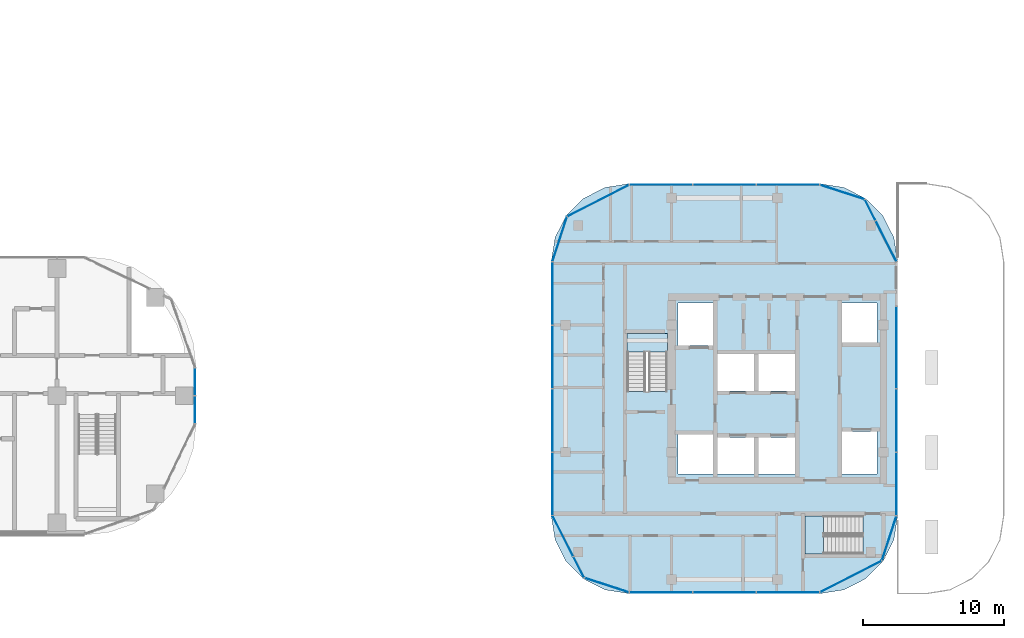
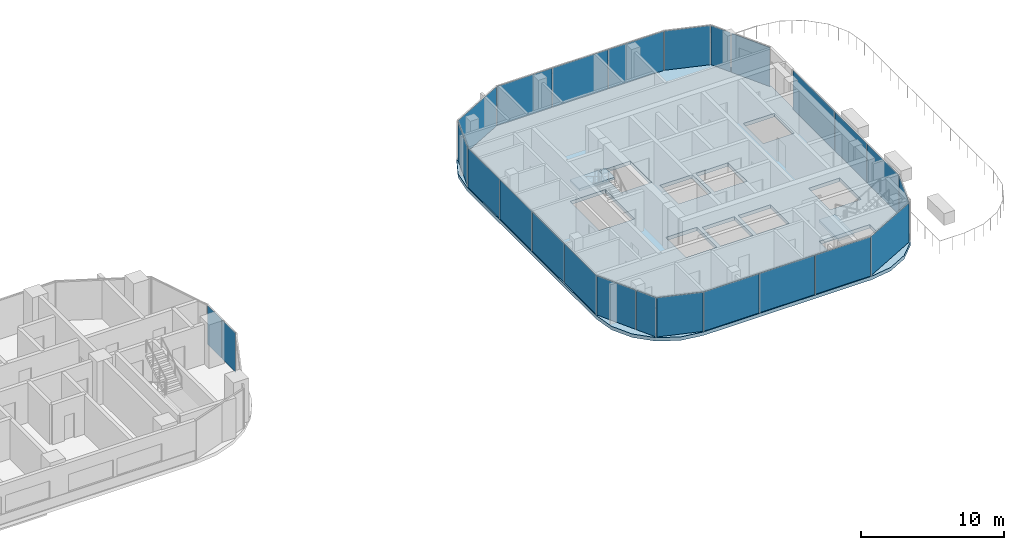
# One storey, part 16 of 35: 25 plates, 3 slabs, 13 elements without a shape of their own.
"""IFC4 building model written with IfcOpenShell, lengths in metres."""

from ifc_helpers import new_model, si_unit, direction, frame, origin, origin_2d, place, context, subcontext, project, spatial, polyline, rectangle, outline, extrude, material, layer, layer_set, type_object, element, aggregate, save


model = new_model("IFC4")

# Units and contexts
model_context = context("Model", 3, precision=1e-05, world=origin(), true_north=direction((0.0, 1.0)))
body_context = subcontext(model_context, "Body", "Model", "MODEL_VIEW")
ifc_project = project(units=[si_unit("LENGTHUNIT", "METRE"), si_unit("AREAUNIT", "SQUARE_METRE"), si_unit("VOLUMEUNIT", "CUBIC_METRE"), si_unit("PLANEANGLEUNIT", "RADIAN"), si_unit("MASSUNIT", "GRAM", prefix="KILO")], contexts=[model_context])

# Site, building, storey
site_placement = place(None, origin())
site = spatial("IfcSite", under=ifc_project, at=site_placement, CompositionType="ELEMENT")
building_placement = place(site_placement, origin())
building = spatial("IfcBuilding", under=site, at=building_placement, Name="Ogive Portal Towers", CompositionType="ELEMENT")
storey_placement = place(building_placement, frame((0.0, 0.0, 94.5)))
storey = spatial("IfcBuildingStorey", under=building, at=storey_placement, Name="L22", CompositionType="ELEMENT", Elevation=94.5)

# Curtain wall, plates
ifc_material_1 = material(Name="Glass, clear low-iron insulated glazing", Category="glass")
curtain_wall_type_1 = type_object("IfcCurtainWallType", Name="CW FRONT RIBBON 4500", PredefinedType="NOTDEFINED", material=ifc_material_1)
curtain_wall_1_placement = place(storey_placement, origin())
curtain_wall_1 = element("IfcCurtainWall", 1, at=curtain_wall_1_placement, inside=storey, type_object=curtain_wall_type_1, Name="A:L22:f08:cw0", PredefinedType="NOTDEFINED")
ifc_layer_1 = layer(ifc_material_1, 0.028076171875)
ifc_layer_set_1 = layer_set([ifc_layer_1], Name="CW PANEL IGU 28")
plate_type = type_object("IfcPlateType", Name="CW PANEL IGU 28", PredefinedType="CURTAIN_PANEL", material=ifc_layer_set_1)
plate_1_placement = place(storey_placement, frame((95.27490234375, 29.509033203125, 0.0), z_axis=(0.0, 0.0, 1.0), x_axis=(0.0, 1.0, 0.0)))
plate_1 = element("IfcPlate", 2, at=plate_1_placement, type_object=plate_type, Name="panel", PredefinedType="CURTAIN_PANEL", context=body_context, shape_type="SweptSolid", body=[
    extrude(rectangle(XDim=1.921630859375, YDim=0.028076171875, at=origin_2d()), origin(), (0.0, 0.0, 1.0), 3.340087890625),
])
plate_2_placement = place(storey_placement, frame((95.27490234375, 31.4931640625, 0.0), z_axis=(0.0, 0.0, 1.0), x_axis=(0.0, 1.0, 0.0)))
plate_2 = element("IfcPlate", 3, at=plate_2_placement, type_object=plate_type, Name="panel", PredefinedType="CURTAIN_PANEL", context=body_context, shape_type="SweptSolid", body=[
    extrude(rectangle(XDim=1.926513671875, YDim=0.028076171875, at=origin_2d()), origin(), (0.0, 0.0, 1.0), 3.340087890625),
])
aggregate(curtain_wall_1, [plate_1, plate_2])

curtain_wall_type_2 = type_object("IfcCurtainWallType", Name="CW RESIDENCES RIBBON", PredefinedType="NOTDEFINED", material=ifc_material_1)
curtain_wall_2_placement = place(storey_placement, origin())
curtain_wall_2 = element("IfcCurtainWall", 4, at=curtain_wall_2_placement, inside=storey, type_object=curtain_wall_type_2, Name="B:L22:f02:cw0", PredefinedType="NOTDEFINED")
plate_3_placement = place(storey_placement, frame((128.25634765625, 16.570068359375, 0.0), z_axis=(0.0, 0.0, 1.0), x_axis=(1.0, 0.0, 0.0)))
plate_3 = element("IfcPlate", 5, at=plate_3_placement, type_object=plate_type, Name="panel", PredefinedType="CURTAIN_PANEL", context=body_context, shape_type="SweptSolid", body=[
    extrude(rectangle(XDim=4.42724609375, YDim=0.028076171875, at=origin_2d()), origin(), (0.0, 0.0, 1.0), 3.340087890625),
])
plate_4_placement = place(storey_placement, frame((132.75, 16.570068359375, 0.0), z_axis=(0.0, 0.0, 1.0), x_axis=(1.0, 0.0, 0.0)))
plate_4 = element("IfcPlate", 6, at=plate_4_placement, type_object=plate_type, Name="panel", PredefinedType="CURTAIN_PANEL", context=body_context, shape_type="SweptSolid", body=[
    extrude(rectangle(XDim=4.43994140625, YDim=0.028076171875, at=origin_2d()), origin(), (0.0, 0.0, 1.0), 3.340087890625),
])
plate_5_placement = place(storey_placement, frame((137.240478515625, 16.570068359375, 0.0), z_axis=(0.0, 0.0, 1.0), x_axis=(1.0, 0.0, 0.0)))
plate_5 = element("IfcPlate", 7, at=plate_5_placement, type_object=plate_type, Name="panel", PredefinedType="CURTAIN_PANEL", context=body_context, shape_type="SweptSolid", body=[
    extrude(rectangle(XDim=4.4208984375, YDim=0.028076171875, at=origin_2d()), origin(), (0.0, 0.0, 1.0), 3.340087890625),
])
aggregate(curtain_wall_2, [plate_3, plate_4, plate_5])

curtain_wall_3_placement = place(storey_placement, origin())
curtain_wall_3 = element("IfcCurtainWall", 8, at=curtain_wall_3_placement, inside=storey, type_object=curtain_wall_type_2, Name="B:L22:f05:cw0", PredefinedType="NOTDEFINED")
plate_6_placement = place(storey_placement, frame((144.929931640625, 24.25634765625, 0.0), z_axis=(0.0, 0.0, 1.0), x_axis=(0.0, 1.0, 0.0)))
plate_6 = element("IfcPlate", 9, at=plate_6_placement, type_object=plate_type, Name="panel", PredefinedType="CURTAIN_PANEL", context=body_context, shape_type="SweptSolid", body=[
    extrude(rectangle(XDim=4.42724609375, YDim=0.028076171875, at=origin_2d()), origin(), (0.0, 0.0, 1.0), 3.340087890625),
])
plate_7_placement = place(storey_placement, frame((144.929931640625, 28.75, 0.0), z_axis=(0.0, 0.0, 1.0), x_axis=(0.0, 1.0, 0.0)))
plate_7 = element("IfcPlate", 10, at=plate_7_placement, type_object=plate_type, Name="panel", PredefinedType="CURTAIN_PANEL", context=body_context, shape_type="SweptSolid", body=[
    extrude(rectangle(XDim=4.43994140625, YDim=0.028076171875, at=origin_2d()), origin(), (0.0, 0.0, 1.0), 3.340087890625),
])
plate_8_placement = place(storey_placement, frame((144.929931640625, 33.918212890625, 0.0), z_axis=(0.0, 0.0, 1.0), x_axis=(0.0, 1.0, 0.0)))
plate_8 = element("IfcPlate", 11, at=plate_8_placement, type_object=plate_type, Name="panel", PredefinedType="CURTAIN_PANEL", context=body_context, shape_type="SweptSolid", body=[
    extrude(rectangle(XDim=5.7763671875, YDim=0.028076171875, at=origin_2d()), origin(), (0.0, 0.0, 1.0), 3.340087890625),
])
aggregate(curtain_wall_3, [plate_6, plate_7, plate_8])

curtain_wall_4_placement = place(storey_placement, origin())
curtain_wall_4 = element("IfcCurtainWall", 12, at=curtain_wall_4_placement, inside=storey, type_object=curtain_wall_type_2, Name="B:L22:f08:cw0", PredefinedType="NOTDEFINED")
plate_9_placement = place(storey_placement, frame((137.24365234375, 45.429931640625, 0.0), z_axis=(0.0, 0.0, 1.0), x_axis=(-1.0, 0.0, 0.0)))
plate_9 = element("IfcPlate", 13, at=plate_9_placement, type_object=plate_type, Name="panel", PredefinedType="CURTAIN_PANEL", context=body_context, shape_type="SweptSolid", body=[
    extrude(rectangle(XDim=4.42724609375, YDim=0.028076171875, at=origin_2d()), origin(), (0.0, 0.0, 1.0), 3.340087890625),
])
plate_10_placement = place(storey_placement, frame((132.75, 45.429931640625, 0.0), z_axis=(0.0, 0.0, 1.0), x_axis=(-1.0, 0.0, 0.0)))
plate_10 = element("IfcPlate", 14, at=plate_10_placement, type_object=plate_type, Name="panel", PredefinedType="CURTAIN_PANEL", context=body_context, shape_type="SweptSolid", body=[
    extrude(rectangle(XDim=4.43994140625, YDim=0.028076171875, at=origin_2d()), origin(), (0.0, 0.0, 1.0), 3.340087890625),
])
plate_11_placement = place(storey_placement, frame((128.259521484375, 45.429931640625, 0.0), z_axis=(0.0, 0.0, 1.0), x_axis=(-1.0, 0.0, 0.0)))
plate_11 = element("IfcPlate", 15, at=plate_11_placement, type_object=plate_type, Name="panel", PredefinedType="CURTAIN_PANEL", context=body_context, shape_type="SweptSolid", body=[
    extrude(rectangle(XDim=4.4208984375, YDim=0.028076171875, at=origin_2d()), origin(), (0.0, 0.0, 1.0), 3.340087890625),
])
aggregate(curtain_wall_4, [plate_9, plate_10, plate_11])

curtain_wall_5_placement = place(storey_placement, origin())
curtain_wall_5 = element("IfcCurtainWall", 16, at=curtain_wall_5_placement, inside=storey, type_object=curtain_wall_type_2, Name="B:L22:f11:cw0", PredefinedType="NOTDEFINED")
plate_12_placement = place(storey_placement, frame((120.570068359375, 37.74365234375, 0.0), z_axis=(0.0, 0.0, 1.0), x_axis=(0.0, -1.0, 0.0)))
plate_12 = element("IfcPlate", 17, at=plate_12_placement, type_object=plate_type, Name="panel", PredefinedType="CURTAIN_PANEL", context=body_context, shape_type="SweptSolid", body=[
    extrude(rectangle(XDim=4.42724609375, YDim=0.028076171875, at=origin_2d()), origin(), (0.0, 0.0, 1.0), 3.340087890625),
])
plate_13_placement = place(storey_placement, frame((120.570068359375, 33.25, 0.0), z_axis=(0.0, 0.0, 1.0), x_axis=(0.0, -1.0, 0.0)))
plate_13 = element("IfcPlate", 18, at=plate_13_placement, type_object=plate_type, Name="panel", PredefinedType="CURTAIN_PANEL", context=body_context, shape_type="SweptSolid", body=[
    extrude(rectangle(XDim=4.43994140625, YDim=0.028076171875, at=origin_2d()), origin(), (0.0, 0.0, 1.0), 3.340087890625),
])
plate_14_placement = place(storey_placement, frame((120.570068359375, 28.75, 0.0), z_axis=(0.0, 0.0, 1.0), x_axis=(0.0, -1.0, 0.0)))
plate_14 = element("IfcPlate", 19, at=plate_14_placement, type_object=plate_type, Name="panel", PredefinedType="CURTAIN_PANEL", context=body_context, shape_type="SweptSolid", body=[
    extrude(rectangle(XDim=4.43994140625, YDim=0.028076171875, at=origin_2d()), origin(), (0.0, 0.0, 1.0), 3.340087890625),
])
plate_15_placement = place(storey_placement, frame((120.570068359375, 24.259521484375, 0.0), z_axis=(0.0, 0.0, 1.0), x_axis=(0.0, -1.0, 0.0)))
plate_15 = element("IfcPlate", 20, at=plate_15_placement, type_object=plate_type, Name="panel", PredefinedType="CURTAIN_PANEL", context=body_context, shape_type="SweptSolid", body=[
    extrude(rectangle(XDim=4.4208984375, YDim=0.028076171875, at=origin_2d()), origin(), (0.0, 0.0, 1.0), 3.340087890625),
])
aggregate(curtain_wall_5, [plate_12, plate_13, plate_14, plate_15])

# Curtain wall, plate
curtain_wall_6_placement = place(storey_placement, origin())
curtain_wall_6 = element("IfcCurtainWall", 21, at=curtain_wall_6_placement, inside=storey, type_object=curtain_wall_type_2, Name="B:L22:f00:cwa~0", PredefinedType="NOTDEFINED")
plate_16_placement = place(storey_placement, frame((121.310546875, 20.56591796875, 0.0), z_axis=(0.0, 0.0, 1.0), x_axis=(0.45399049974, -0.891006524188, 0.0)))
plate_16 = element("IfcPlate", 22, at=plate_16_placement, type_object=plate_type, Name="panel", PredefinedType="CURTAIN_PANEL", context=body_context, shape_type="SweptSolid", body=[
    extrude(rectangle(XDim=3.2021484375, YDim=0.028076171875, at=origin_2d()), origin(), (0.0, 0.0, 1.0), 3.340087890625),
])
aggregate(curtain_wall_6, [plate_16])

# Curtain wall, plates
curtain_wall_7_placement = place(storey_placement, origin())
curtain_wall_7 = element("IfcCurtainWall", 23, at=curtain_wall_7_placement, inside=storey, type_object=curtain_wall_type_2, Name="B:L22:f00:cwa~1", PredefinedType="NOTDEFINED")
plate_17_placement = place(storey_placement, frame((122.439453125, 18.35009765625, 0.0), z_axis=(0.0, 0.0, 1.0), x_axis=(0.45399049974, -0.891006524188, 0.0)))
plate_17 = element("IfcPlate", 24, at=plate_17_placement, type_object=plate_type, Name="panel", PredefinedType="CURTAIN_PANEL", context=body_context, shape_type="SweptSolid", body=[
    extrude(rectangle(XDim=1.60546875, YDim=0.028076171875, at=origin_2d()), origin(), (0.0, 0.0, 1.0), 3.340087890625),
])
plate_18_placement = place(storey_placement, frame((124.4150390625, 17.089111328125, 0.0), z_axis=(0.0, 0.0, 1.0), x_axis=(0.951056516295, -0.309016994375, 0.0)))
plate_18 = element("IfcPlate", 25, at=plate_18_placement, type_object=plate_type, Name="panel", PredefinedType="CURTAIN_PANEL", context=body_context, shape_type="SweptSolid", body=[
    extrude(rectangle(XDim=3.299560546875, YDim=0.028076171875, at=origin_2d()), origin(), (0.0, 0.0, 1.0), 3.340087890625),
])
aggregate(curtain_wall_7, [plate_17, plate_18])

curtain_wall_8_placement = place(storey_placement, origin())
curtain_wall_8 = element("IfcCurtainWall", 26, at=curtain_wall_8_placement, inside=storey, type_object=curtain_wall_type_2, Name="B:L22:f03:cwa", PredefinedType="NOTDEFINED")
plate_19_placement = place(storey_placement, frame((141.686279296875, 17.69384765625, 0.0), z_axis=(0.0, 0.0, 1.0), x_axis=(0.891006524188, 0.45399049974, 0.0)))
plate_19 = element("IfcPlate", 27, at=plate_19_placement, type_object=plate_type, Name="panel", PredefinedType="CURTAIN_PANEL", context=body_context, shape_type="SweptSolid", body=[
    extrude(rectangle(XDim=4.890625, YDim=0.028076171875, at=origin_2d()), origin(), (0.0, 0.0, 1.0), 3.340087890625),
])
plate_20_placement = place(storey_placement, frame((144.410888671875, 20.4150390625, 0.0), z_axis=(0.0, 0.0, 1.0), x_axis=(0.309016994375, 0.951056516295, 0.0)))
plate_20 = element("IfcPlate", 28, at=plate_20_placement, type_object=plate_type, Name="panel", PredefinedType="CURTAIN_PANEL", context=body_context, shape_type="SweptSolid", body=[
    extrude(rectangle(XDim=3.299560546875, YDim=0.028076171875, at=origin_2d()), origin(), (0.0, 0.0, 1.0), 3.340087890625),
])
aggregate(curtain_wall_8, [plate_19, plate_20])

# Curtain wall, plate
curtain_wall_9_placement = place(storey_placement, origin())
curtain_wall_9 = element("IfcCurtainWall", 29, at=curtain_wall_9_placement, inside=storey, type_object=curtain_wall_type_2, Name="B:L22:f06:cwa~0", PredefinedType="NOTDEFINED")
plate_21_placement = place(storey_placement, frame((144.189453125, 41.43408203125, 0.0), z_axis=(0.0, 0.0, 1.0), x_axis=(-0.45399049974, 0.891006524188, 0.0)))
plate_21 = element("IfcPlate", 30, at=plate_21_placement, type_object=plate_type, Name="panel", PredefinedType="CURTAIN_PANEL", context=body_context, shape_type="SweptSolid", body=[
    extrude(rectangle(XDim=3.2021484375, YDim=0.028076171875, at=origin_2d()), origin(), (0.0, 0.0, 1.0), 3.340087890625),
])
aggregate(curtain_wall_9, [plate_21])

# Curtain wall, plates
curtain_wall_10_placement = place(storey_placement, origin())
curtain_wall_10 = element("IfcCurtainWall", 31, at=curtain_wall_10_placement, inside=storey, type_object=curtain_wall_type_2, Name="B:L22:f06:cwa~1", PredefinedType="NOTDEFINED")
plate_22_placement = place(storey_placement, frame((143.060546875, 43.64990234375, 0.0), z_axis=(0.0, 0.0, 1.0), x_axis=(-0.45399049974, 0.891006524188, 0.0)))
plate_22 = element("IfcPlate", 32, at=plate_22_placement, type_object=plate_type, Name="panel", PredefinedType="CURTAIN_PANEL", context=body_context, shape_type="SweptSolid", body=[
    extrude(rectangle(XDim=1.60546875, YDim=0.028076171875, at=origin_2d()), origin(), (0.0, 0.0, 1.0), 3.340087890625),
])
plate_23_placement = place(storey_placement, frame((141.0849609375, 44.910888671875, 0.0), z_axis=(0.0, 0.0, 1.0), x_axis=(-0.951056516295, 0.309016994375, 0.0)))
plate_23 = element("IfcPlate", 33, at=plate_23_placement, type_object=plate_type, Name="panel", PredefinedType="CURTAIN_PANEL", context=body_context, shape_type="SweptSolid", body=[
    extrude(rectangle(XDim=3.299560546875, YDim=0.028076171875, at=origin_2d()), origin(), (0.0, 0.0, 1.0), 3.340087890625),
])
aggregate(curtain_wall_10, [plate_22, plate_23])

curtain_wall_11_placement = place(storey_placement, origin())
curtain_wall_11 = element("IfcCurtainWall", 34, at=curtain_wall_11_placement, inside=storey, type_object=curtain_wall_type_2, Name="B:L22:f09:cwa", PredefinedType="NOTDEFINED")
plate_24_placement = place(storey_placement, frame((123.813720703125, 44.30615234375, 0.0), z_axis=(0.0, 0.0, 1.0), x_axis=(-0.891006524188, -0.45399049974, 0.0)))
plate_24 = element("IfcPlate", 35, at=plate_24_placement, type_object=plate_type, Name="panel", PredefinedType="CURTAIN_PANEL", context=body_context, shape_type="SweptSolid", body=[
    extrude(rectangle(XDim=4.890625, YDim=0.028076171875, at=origin_2d()), origin(), (0.0, 0.0, 1.0), 3.340087890625),
])
plate_25_placement = place(storey_placement, frame((121.089111328125, 41.5849609375, 0.0), z_axis=(0.0, 0.0, 1.0), x_axis=(-0.309016994375, -0.951056516295, 0.0)))
plate_25 = element("IfcPlate", 36, at=plate_25_placement, type_object=plate_type, Name="panel", PredefinedType="CURTAIN_PANEL", context=body_context, shape_type="SweptSolid", body=[
    extrude(rectangle(XDim=3.299560546875, YDim=0.028076171875, at=origin_2d()), origin(), (0.0, 0.0, 1.0), 3.340087890625),
])
aggregate(curtain_wall_11, [plate_24, plate_25])

# Stair, slab
ifc_material_2 = material(Name="Concrete C40/50", Category="concrete")
stair_type = type_object("IfcStairType", Name="INT-STAIR", PredefinedType="HALF_TURN_STAIR", material=ifc_material_2)
stair_1_placement = place(storey_placement, origin())
stair_1 = element("IfcStair", 37, at=stair_1_placement, inside=storey, type_object=stair_type, Name="L22 Exit Stair ST-B1", PredefinedType="HALF_TURN_STAIR")
ifc_layer_2 = layer(ifc_material_2, 0.199951171875)
ifc_layer_set_2 = layer_set([ifc_layer_2], Name="INT-LANDING")
slab_type_1 = type_object("IfcSlabType", Name="INT-LANDING", PredefinedType="LANDING", material=ifc_layer_set_2)
slab_1_placement = place(storey_placement, frame((0.0, 0.0, 1.64990234375)))
slab_1 = element("IfcSlab", 38, at=slab_1_placement, type_object=slab_type_1, Name="ST-B1 landing 1", PredefinedType="LANDING", context=body_context, shape_type="SweptSolid", body=[
    extrude(outline(polyline([(128.699951171875, 33.60009765625), (128.699951171875, 34.89990234375), (125.85009765625, 34.89990234375), (125.85009765625, 33.60009765625), (128.699951171875, 33.60009765625)])), origin(), (0.0, 0.0, 1.0), 0.2001953125),
])
aggregate(stair_1, [slab_1])

stair_2_placement = place(storey_placement, origin())
stair_2 = element("IfcStair", 39, at=stair_2_placement, inside=storey, type_object=stair_type, Name="L22 Exit Stair ST-B2", PredefinedType="HALF_TURN_STAIR")
slab_2_placement = place(storey_placement, frame((0.0, 0.0, 1.64990234375)))
slab_2 = element("IfcSlab", 40, at=slab_2_placement, type_object=slab_type_1, Name="ST-B2 landing 1", PredefinedType="LANDING", context=body_context, shape_type="SweptSolid", body=[
    extrude(outline(polyline([(139.75, 22.0), (138.449951171875, 22.0), (138.449951171875, 19.300048828125), (139.75, 19.300048828125), (139.75, 22.0)])), origin(), (0.0, 0.0, 1.0), 0.2001953125),
])
aggregate(stair_2, [slab_2])

# Slab
ifc_material_3 = material(Name="Concrete C45/55", Category="concrete")
ifc_layer_3 = layer(ifc_material_3, 0.300048828125)
ifc_layer_set_3 = layer_set([ifc_layer_3], Name="PT FLAT PLATE 300")
slab_type_2 = type_object("IfcSlabType", Name="PT FLAT PLATE 300", PredefinedType="FLOOR", material=ifc_layer_set_3)
slab_3_placement = place(storey_placement, frame((0.0, 0.0, -0.300048828125)))
element("IfcSlab", 41, at=slab_3_placement, inside=storey, type_object=slab_type_2, Name="Floor slab L22", PredefinedType="FLOOR", context=body_context, shape_type="SweptSolid", body=[
    extrude(outline(polyline([(120.489990234375, 40.0), (120.489990234375, 22.0), (120.759765625, 20.29736328125), (121.542236328125, 18.76123046875), (122.76123046875, 17.542236328125), (124.29736328125, 16.759765625), (126.0, 16.489990234375), (139.5, 16.489990234375), (141.20263671875, 16.759765625), (142.73876953125, 17.542236328125), (143.957763671875, 18.76123046875), (144.740234375, 20.29736328125), (145.010009765625, 22.0), (145.010009765625, 40.0), (144.740234375, 41.70263671875), (143.957763671875, 43.23876953125), (142.73876953125, 44.457763671875), (141.20263671875, 45.240234375), (139.5, 45.510009765625), (126.0, 45.510009765625), (124.29736328125, 45.240234375), (122.76123046875, 44.457763671875), (121.542236328125, 43.23876953125), (120.759765625, 41.70263671875), (120.489990234375, 40.0)]), holes=[polyline([(131.949951171875, 27.75), (131.949951171875, 24.949951171875), (129.449951171875, 24.949951171875), (129.449951171875, 27.75), (131.949951171875, 27.75)]), polyline([(128.697998046875, 34.89794921875), (128.697998046875, 30.802001953125), (125.85205078125, 30.802001953125), (125.85205078125, 34.89794921875), (128.697998046875, 34.89794921875)]), polyline([(131.949951171875, 37.050048828125), (131.949951171875, 34.050048828125), (129.449951171875, 34.050048828125), (129.449951171875, 37.050048828125), (131.949951171875, 37.050048828125)]), polyline([(138.451904296875, 21.998046875), (142.548095703125, 21.998046875), (142.548095703125, 19.302001953125), (138.451904296875, 19.302001953125), (138.451904296875, 21.998046875)]), polyline([(134.85009765625, 27.550048828125), (134.85009765625, 24.949951171875), (132.25, 24.949951171875), (132.25, 27.550048828125), (134.85009765625, 27.550048828125)]), polyline([(137.75, 27.550048828125), (137.75, 24.949951171875), (135.14990234375, 24.949951171875), (135.14990234375, 27.550048828125), (137.75, 27.550048828125)]), polyline([(143.550048828125, 27.949951171875), (143.550048828125, 24.949951171875), (141.050048828125, 24.949951171875), (141.050048828125, 27.949951171875), (143.550048828125, 27.949951171875)]), polyline([(134.85009765625, 33.449951171875), (134.85009765625, 30.85009765625), (132.25, 30.85009765625), (132.25, 33.449951171875), (134.85009765625, 33.449951171875)]), polyline([(137.75, 33.449951171875), (137.75, 30.85009765625), (135.14990234375, 30.85009765625), (135.14990234375, 33.449951171875), (137.75, 33.449951171875)]), polyline([(141.050048828125, 37.050048828125), (143.550048828125, 37.050048828125), (143.550048828125, 34.25), (141.050048828125, 34.25), (141.050048828125, 37.050048828125)])]), origin(), (0.0, 0.0, 1.0), 0.300048828125),
])

save(model, "model.ifc")
